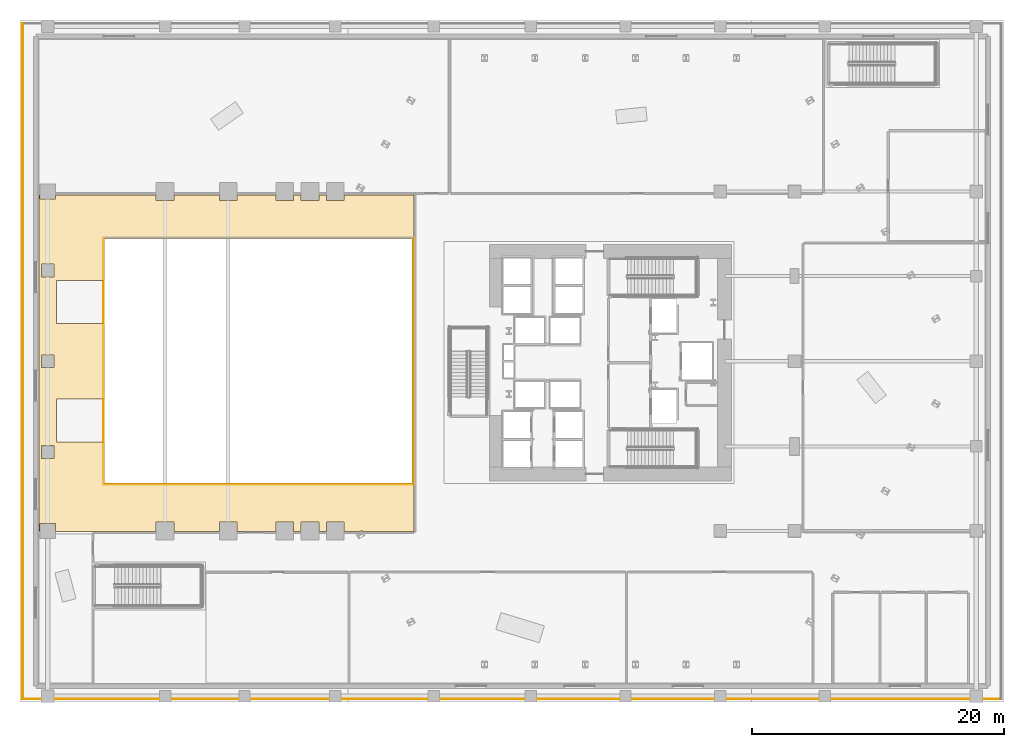
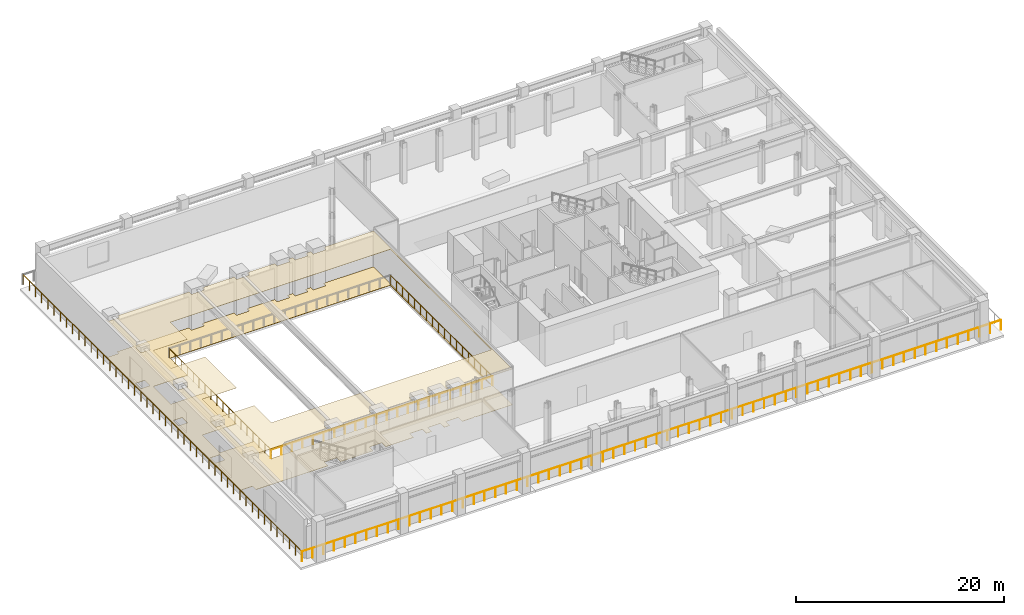
# One storey, part 10 of 19: 5 railings, 2 coverings.
"""IFC4 building model written with IfcOpenShell, lengths in metres."""

from ifc_helpers import new_model, si_unit, direction, frame, origin, origin_2d, place, context, subcontext, project, spatial, polyline, circle, outline, extrude, material, layer, layer_set, type_object, element, save


model = new_model("IFC4")

# Units and contexts
model_context = context("Model", 3, precision=1e-05, world=origin(), true_north=direction((0.0, 1.0)))
body_context = subcontext(model_context, "Body", "Model", "MODEL_VIEW")
ifc_project = project(units=[si_unit("LENGTHUNIT", "METRE"), si_unit("AREAUNIT", "SQUARE_METRE"), si_unit("VOLUMEUNIT", "CUBIC_METRE"), si_unit("PLANEANGLEUNIT", "RADIAN"), si_unit("MASSUNIT", "GRAM", prefix="KILO")], contexts=[model_context])

# Site, building, storey
site_placement = place(None, origin())
site = spatial("IfcSite", under=ifc_project, at=site_placement, CompositionType="ELEMENT")
building_placement = place(site_placement, origin())
building = spatial("IfcBuilding", under=site, at=building_placement, Name="Valkerne Bourse Tower", CompositionType="ELEMENT")
storey_placement = place(building_placement, frame((0.0, 0.0, 5.39990234375)))
storey = spatial("IfcBuildingStorey", under=building, at=storey_placement, Name="L01", CompositionType="ELEMENT", Elevation=5.39990234375)

# Coverings
ifc_material_1 = material(Name="Bronze Anodised Aluminium AA 6063-T6", Category="aluminium")
ifc_layer_1 = layer(ifc_material_1, 0.030029296875)
ifc_layer_set_1 = layer_set([ifc_layer_1], Name="Bronze Anodised Aluminium AA 6063-T6")
covering_type_1 = type_object("IfcCoveringType", Name="COV-CEIL-METAL", PredefinedType="CEILING", material=ifc_layer_set_1)
covering_1_placement = place(storey_placement, frame((0.0, 0.0, 4.210205078125)))
element("IfcCovering", 1, at=covering_1_placement, inside=storey, type_object=covering_type_1, Name="L01 Suspended Ceiling 01", PredefinedType="CEILING", context=body_context, shape_type="SweptSolid", body=[
    extrude(outline(polyline([(1.595947265625, 40.196044921875), (1.595947265625, 39.845947265625), (2.803955078125, 39.845947265625), (2.803955078125, 40.196044921875), (10.7958984375, 40.196044921875), (10.7958984375, 39.74609375), (12.2041015625, 39.74609375), (12.2041015625, 40.196044921875), (15.7958984375, 40.196044921875), (15.7958984375, 39.74609375), (17.2041015625, 39.74609375), (17.2041015625, 40.196044921875), (20.2880859375, 40.196044921875), (20.2880859375, 39.74609375), (21.696044921875, 39.74609375), (21.696044921875, 40.196044921875), (22.287109375, 40.196044921875), (22.287109375, 39.74609375), (23.695068359375, 39.74609375), (23.695068359375, 40.196044921875), (24.283935546875, 40.196044921875), (24.283935546875, 39.74609375), (25.69189453125, 39.74609375), (25.69189453125, 40.196044921875), (31.24609375, 40.196044921875), (31.24609375, 13.50390625), (27.175048828125, 13.50390625), (27.12060546875, 13.59814453125), (26.95751953125, 13.50390625), (25.69189453125, 13.50390625), (25.69189453125, 14.25390625), (24.283935546875, 14.25390625), (24.283935546875, 13.50390625), (23.695068359375, 13.50390625), (23.695068359375, 14.25390625), (22.287109375, 14.25390625), (22.287109375, 13.50390625), (21.696044921875, 13.50390625), (21.696044921875, 14.25390625), (20.2880859375, 14.25390625), (20.2880859375, 13.50390625), (17.2041015625, 13.50390625), (17.2041015625, 14.25390625), (15.7958984375, 14.25390625), (15.7958984375, 13.50390625), (12.2041015625, 13.50390625), (12.2041015625, 14.25390625), (10.7958984375, 14.25390625), (10.7958984375, 13.50390625), (2.803955078125, 13.50390625), (2.803955078125, 14.154052734375), (1.595947265625, 14.154052734375), (1.595947265625, 13.50390625), (1.50390625, 13.50390625), (1.50390625, 40.196044921875), (1.595947265625, 40.196044921875)]), holes=[polyline([(6.696044921875, 33.39990234375), (2.89990234375, 33.39990234375), (2.89990234375, 30.0), (6.696044921875, 30.0), (6.696044921875, 24.0), (2.89990234375, 24.0), (2.89990234375, 20.60009765625), (6.696044921875, 20.60009765625), (6.696044921875, 17.2958984375), (31.10400390625, 17.2958984375), (31.10400390625, 36.7041015625), (6.696044921875, 36.7041015625), (6.696044921875, 33.39990234375)]), polyline([(1.696044921875, 20.303955078125), (1.696044921875, 19.2958984375), (2.7041015625, 19.2958984375), (2.7041015625, 20.303955078125), (1.696044921875, 20.303955078125)]), polyline([(2.7041015625, 27.50390625), (1.696044921875, 27.50390625), (1.696044921875, 26.49609375), (2.7041015625, 26.49609375), (2.7041015625, 27.50390625)]), polyline([(2.7041015625, 34.7041015625), (1.696044921875, 34.7041015625), (1.696044921875, 33.696044921875), (2.7041015625, 33.696044921875), (2.7041015625, 34.7041015625)])]), origin(), (0.0, 0.0, 1.0), 0.02490234375),
])
ifc_material_2 = material(Name="Polished Granite Stone", Category="masonry")
ifc_layer_2 = layer(ifc_material_2, 0.030029296875)
ifc_layer_set_2 = layer_set([ifc_layer_2], Name="Polished Granite Stone")
covering_type_2 = type_object("IfcCoveringType", Name="COV-FLR-TERRAZZO", PredefinedType="FLOORING", material=ifc_layer_set_2)
covering_2_placement = place(storey_placement, origin())
element("IfcCovering", 2, at=covering_2_placement, inside=storey, type_object=covering_type_2, Name="L01 Floor Finish 01", PredefinedType="FLOORING", context=body_context, shape_type="SweptSolid", body=[
    extrude(outline(polyline([(1.595947265625, 40.196044921875), (1.595947265625, 39.845947265625), (2.803955078125, 39.845947265625), (2.803955078125, 40.196044921875), (10.7958984375, 40.196044921875), (10.7958984375, 39.74609375), (12.2041015625, 39.74609375), (12.2041015625, 40.196044921875), (15.7958984375, 40.196044921875), (15.7958984375, 39.74609375), (17.2041015625, 39.74609375), (17.2041015625, 40.196044921875), (20.2880859375, 40.196044921875), (20.2880859375, 39.74609375), (21.696044921875, 39.74609375), (21.696044921875, 40.196044921875), (22.287109375, 40.196044921875), (22.287109375, 39.74609375), (23.695068359375, 39.74609375), (23.695068359375, 40.196044921875), (24.283935546875, 40.196044921875), (24.283935546875, 39.74609375), (25.69189453125, 39.74609375), (25.69189453125, 40.196044921875), (31.24609375, 40.196044921875), (31.24609375, 13.50390625), (27.175048828125, 13.50390625), (27.12060546875, 13.59814453125), (26.95751953125, 13.50390625), (25.69189453125, 13.50390625), (25.69189453125, 14.25390625), (24.283935546875, 14.25390625), (24.283935546875, 13.50390625), (23.695068359375, 13.50390625), (23.695068359375, 14.25390625), (22.287109375, 14.25390625), (22.287109375, 13.50390625), (21.696044921875, 13.50390625), (21.696044921875, 14.25390625), (20.2880859375, 14.25390625), (20.2880859375, 13.50390625), (17.2041015625, 13.50390625), (17.2041015625, 14.25390625), (15.7958984375, 14.25390625), (15.7958984375, 13.50390625), (12.2041015625, 13.50390625), (12.2041015625, 14.25390625), (10.7958984375, 14.25390625), (10.7958984375, 13.50390625), (2.803955078125, 13.50390625), (2.803955078125, 14.154052734375), (1.595947265625, 14.154052734375), (1.595947265625, 13.50390625), (1.50390625, 13.50390625), (1.50390625, 40.196044921875), (1.595947265625, 40.196044921875)]), holes=[polyline([(6.696044921875, 33.39990234375), (2.89990234375, 33.39990234375), (2.89990234375, 30.0), (6.696044921875, 30.0), (6.696044921875, 24.0), (2.89990234375, 24.0), (2.89990234375, 20.60009765625), (6.696044921875, 20.60009765625), (6.696044921875, 17.2958984375), (31.10400390625, 17.2958984375), (31.10400390625, 36.7041015625), (6.696044921875, 36.7041015625), (6.696044921875, 33.39990234375)]), polyline([(1.696044921875, 20.303955078125), (1.696044921875, 19.2958984375), (2.7041015625, 19.2958984375), (2.7041015625, 20.303955078125), (1.696044921875, 20.303955078125)]), polyline([(2.7041015625, 27.50390625), (1.696044921875, 27.50390625), (1.696044921875, 26.49609375), (2.7041015625, 26.49609375), (2.7041015625, 27.50390625)]), polyline([(2.7041015625, 34.7041015625), (1.696044921875, 34.7041015625), (1.696044921875, 33.696044921875), (2.7041015625, 33.696044921875), (2.7041015625, 34.7041015625)])]), origin(), (0.0, 0.0, 1.0), 0.030029296875),
])

# Railings
ifc_material_3 = material(Name="Laminated Tempered Safety Glass", Category="glass")
railing_type = type_object("IfcRailingType", Name="RLG-GUARD-1150", PredefinedType="BALUSTRADE", material=ifc_material_3)
railing_1_placement = place(storey_placement, frame((0.219970703125, 0.219970703125, 0.60009765625)))
element("IfcRailing", 3, at=railing_1_placement, inside=storey, type_object=railing_type, Name="L01 Perimeter Guard Railing GRD-POD-L01-01", PredefinedType="BALUSTRADE", context=body_context, shape_type="SweptSolid", body=[
    extrude(circle(Radius=0.02392578125, at=origin_2d()), frame((0.0, 0.0, 1.1259765625), z_axis=(1.0, 0.0, 0.0), x_axis=(0.0, 1.0, 0.0)), (0.0, 0.0, 1.0), 77.56005859375),
    extrude(circle(Radius=0.02099609375, at=origin_2d()), origin(), (0.0, 0.0, 1.0), 1.101806640625),
    extrude(circle(Radius=0.02099609375, at=origin_2d()), frame((1.193115234375, 0.0, 0.0)), (0.0, 0.0, 1.0), 1.101806640625),
    extrude(circle(Radius=0.02099609375, at=origin_2d()), frame((2.386474609375, 0.0, 0.0)), (0.0, 0.0, 1.0), 1.101806640625),
    extrude(circle(Radius=0.02099609375, at=origin_2d()), frame((3.57958984375, 0.0, 0.0)), (0.0, 0.0, 1.0), 1.101806640625),
    extrude(circle(Radius=0.02099609375, at=origin_2d()), frame((4.77294921875, 0.0, 0.0)), (0.0, 0.0, 1.0), 1.101806640625),
    extrude(circle(Radius=0.02099609375, at=origin_2d()), frame((5.966064453125, 0.0, 0.0)), (0.0, 0.0, 1.0), 1.101806640625),
    extrude(circle(Radius=0.02099609375, at=origin_2d()), frame((7.159423828125, 0.0, 0.0)), (0.0, 0.0, 1.0), 1.101806640625),
    extrude(circle(Radius=0.02099609375, at=origin_2d()), frame((8.3525390625, 0.0, 0.0)), (0.0, 0.0, 1.0), 1.101806640625),
    extrude(circle(Radius=0.02099609375, at=origin_2d()), frame((9.5458984375, 0.0, 0.0)), (0.0, 0.0, 1.0), 1.101806640625),
    extrude(circle(Radius=0.02099609375, at=origin_2d()), frame((10.739013671875, 0.0, 0.0)), (0.0, 0.0, 1.0), 1.101806640625),
    extrude(circle(Radius=0.02099609375, at=origin_2d()), frame((11.932373046875, 0.0, 0.0)), (0.0, 0.0, 1.0), 1.101806640625),
    extrude(circle(Radius=0.02099609375, at=origin_2d()), frame((13.12548828125, 0.0, 0.0)), (0.0, 0.0, 1.0), 1.101806640625),
    extrude(circle(Radius=0.02099609375, at=origin_2d()), frame((14.31884765625, 0.0, 0.0)), (0.0, 0.0, 1.0), 1.101806640625),
    extrude(circle(Radius=0.02099609375, at=origin_2d()), frame((15.511962890625, 0.0, 0.0)), (0.0, 0.0, 1.0), 1.101806640625),
    extrude(circle(Radius=0.02099609375, at=origin_2d()), frame((16.705322265625, 0.0, 0.0)), (0.0, 0.0, 1.0), 1.101806640625),
    extrude(circle(Radius=0.02099609375, at=origin_2d()), frame((17.8984375, 0.0, 0.0)), (0.0, 0.0, 1.0), 1.101806640625),
    extrude(circle(Radius=0.02099609375, at=origin_2d()), frame((19.091796875, 0.0, 0.0)), (0.0, 0.0, 1.0), 1.101806640625),
    extrude(circle(Radius=0.02099609375, at=origin_2d()), frame((20.284912109375, 0.0, 0.0)), (0.0, 0.0, 1.0), 1.101806640625),
    extrude(circle(Radius=0.02099609375, at=origin_2d()), frame((21.478271484375, 0.0, 0.0)), (0.0, 0.0, 1.0), 1.101806640625),
    extrude(circle(Radius=0.02099609375, at=origin_2d()), frame((22.67138671875, 0.0, 0.0)), (0.0, 0.0, 1.0), 1.101806640625),
    extrude(circle(Radius=0.02099609375, at=origin_2d()), frame((23.86474609375, 0.0, 0.0)), (0.0, 0.0, 1.0), 1.101806640625),
    extrude(circle(Radius=0.02099609375, at=origin_2d()), frame((25.057861328125, 0.0, 0.0)), (0.0, 0.0, 1.0), 1.101806640625),
    extrude(circle(Radius=0.02099609375, at=origin_2d()), frame((26.2509765625, 0.0, 0.0)), (0.0, 0.0, 1.0), 1.101806640625),
    extrude(circle(Radius=0.02099609375, at=origin_2d()), frame((27.4443359375, 0.0, 0.0)), (0.0, 0.0, 1.0), 1.101806640625),
    extrude(circle(Radius=0.02099609375, at=origin_2d()), frame((28.637451171875, 0.0, 0.0)), (0.0, 0.0, 1.0), 1.101806640625),
    extrude(circle(Radius=0.02099609375, at=origin_2d()), frame((29.830810546875, 0.0, 0.0)), (0.0, 0.0, 1.0), 1.101806640625),
    extrude(circle(Radius=0.02099609375, at=origin_2d()), frame((31.02392578125, 0.0, 0.0)), (0.0, 0.0, 1.0), 1.101806640625),
    extrude(circle(Radius=0.02099609375, at=origin_2d()), frame((32.21728515625, 0.0, 0.0)), (0.0, 0.0, 1.0), 1.101806640625),
    extrude(circle(Radius=0.02099609375, at=origin_2d()), frame((33.410400390625, 0.0, 0.0)), (0.0, 0.0, 1.0), 1.101806640625),
    extrude(circle(Radius=0.02099609375, at=origin_2d()), frame((34.603759765625, 0.0, 0.0)), (0.0, 0.0, 1.0), 1.101806640625),
    extrude(circle(Radius=0.02099609375, at=origin_2d()), frame((35.796875, 0.0, 0.0)), (0.0, 0.0, 1.0), 1.101806640625),
    extrude(circle(Radius=0.02099609375, at=origin_2d()), frame((36.990234375, 0.0, 0.0)), (0.0, 0.0, 1.0), 1.101806640625),
    extrude(circle(Radius=0.02099609375, at=origin_2d()), frame((38.183349609375, 0.0, 0.0)), (0.0, 0.0, 1.0), 1.101806640625),
    extrude(circle(Radius=0.02099609375, at=origin_2d()), frame((39.376708984375, 0.0, 0.0)), (0.0, 0.0, 1.0), 1.101806640625),
    extrude(circle(Radius=0.02099609375, at=origin_2d()), frame((40.56982421875, 0.0, 0.0)), (0.0, 0.0, 1.0), 1.101806640625),
    extrude(circle(Radius=0.02099609375, at=origin_2d()), frame((41.76318359375, 0.0, 0.0)), (0.0, 0.0, 1.0), 1.101806640625),
    extrude(circle(Radius=0.02099609375, at=origin_2d()), frame((42.956298828125, 0.0, 0.0)), (0.0, 0.0, 1.0), 1.101806640625),
    extrude(circle(Radius=0.02099609375, at=origin_2d()), frame((44.149658203125, 0.0, 0.0)), (0.0, 0.0, 1.0), 1.101806640625),
    extrude(circle(Radius=0.02099609375, at=origin_2d()), frame((45.3427734375, 0.0, 0.0)), (0.0, 0.0, 1.0), 1.101806640625),
    extrude(circle(Radius=0.02099609375, at=origin_2d()), frame((46.5361328125, 0.0, 0.0)), (0.0, 0.0, 1.0), 1.101806640625),
    extrude(circle(Radius=0.02099609375, at=origin_2d()), frame((47.729248046875, 0.0, 0.0)), (0.0, 0.0, 1.0), 1.101806640625),
    extrude(circle(Radius=0.02099609375, at=origin_2d()), frame((48.922607421875, 0.0, 0.0)), (0.0, 0.0, 1.0), 1.101806640625),
    extrude(circle(Radius=0.02099609375, at=origin_2d()), frame((50.11572265625, 0.0, 0.0)), (0.0, 0.0, 1.0), 1.101806640625),
    extrude(circle(Radius=0.02099609375, at=origin_2d()), frame((51.30908203125, 0.0, 0.0)), (0.0, 0.0, 1.0), 1.101806640625),
    extrude(circle(Radius=0.02099609375, at=origin_2d()), frame((52.502197265625, 0.0, 0.0)), (0.0, 0.0, 1.0), 1.101806640625),
    extrude(circle(Radius=0.02099609375, at=origin_2d()), frame((53.6953125, 0.0, 0.0)), (0.0, 0.0, 1.0), 1.101806640625),
    extrude(circle(Radius=0.02099609375, at=origin_2d()), frame((54.888671875, 0.0, 0.0)), (0.0, 0.0, 1.0), 1.101806640625),
    extrude(circle(Radius=0.02099609375, at=origin_2d()), frame((56.081787109375, 0.0, 0.0)), (0.0, 0.0, 1.0), 1.101806640625),
    extrude(circle(Radius=0.02099609375, at=origin_2d()), frame((57.275146484375, 0.0, 0.0)), (0.0, 0.0, 1.0), 1.101806640625),
    extrude(circle(Radius=0.02099609375, at=origin_2d()), frame((58.46826171875, 0.0, 0.0)), (0.0, 0.0, 1.0), 1.101806640625),
    extrude(circle(Radius=0.02099609375, at=origin_2d()), frame((59.66162109375, 0.0, 0.0)), (0.0, 0.0, 1.0), 1.101806640625),
    extrude(circle(Radius=0.02099609375, at=origin_2d()), frame((60.854736328125, 0.0, 0.0)), (0.0, 0.0, 1.0), 1.101806640625),
    extrude(circle(Radius=0.02099609375, at=origin_2d()), frame((62.048095703125, 0.0, 0.0)), (0.0, 0.0, 1.0), 1.101806640625),
    extrude(circle(Radius=0.02099609375, at=origin_2d()), frame((63.2412109375, 0.0, 0.0)), (0.0, 0.0, 1.0), 1.101806640625),
    extrude(circle(Radius=0.02099609375, at=origin_2d()), frame((64.4345703125, 0.0, 0.0)), (0.0, 0.0, 1.0), 1.101806640625),
    extrude(circle(Radius=0.02099609375, at=origin_2d()), frame((65.627685546875, 0.0, 0.0)), (0.0, 0.0, 1.0), 1.101806640625),
    extrude(circle(Radius=0.02099609375, at=origin_2d()), frame((66.821044921875, 0.0, 0.0)), (0.0, 0.0, 1.0), 1.101806640625),
    extrude(circle(Radius=0.02099609375, at=origin_2d()), frame((68.01416015625, 0.0, 0.0)), (0.0, 0.0, 1.0), 1.101806640625),
    extrude(circle(Radius=0.02099609375, at=origin_2d()), frame((69.20751953125, 0.0, 0.0)), (0.0, 0.0, 1.0), 1.101806640625),
    extrude(circle(Radius=0.02099609375, at=origin_2d()), frame((70.400634765625, 0.0, 0.0)), (0.0, 0.0, 1.0), 1.101806640625),
    extrude(circle(Radius=0.02099609375, at=origin_2d()), frame((71.593994140625, 0.0, 0.0)), (0.0, 0.0, 1.0), 1.101806640625),
    extrude(circle(Radius=0.02099609375, at=origin_2d()), frame((72.787109375, 0.0, 0.0)), (0.0, 0.0, 1.0), 1.101806640625),
    extrude(circle(Radius=0.02099609375, at=origin_2d()), frame((73.98046875, 0.0, 0.0)), (0.0, 0.0, 1.0), 1.101806640625),
    extrude(circle(Radius=0.02099609375, at=origin_2d()), frame((75.173583984375, 0.0, 0.0)), (0.0, 0.0, 1.0), 1.101806640625),
    extrude(circle(Radius=0.02099609375, at=origin_2d()), frame((76.366943359375, 0.0, 0.0)), (0.0, 0.0, 1.0), 1.101806640625),
    extrude(circle(Radius=0.02099609375, at=origin_2d()), frame((77.56005859375, 0.0, 0.0)), (0.0, 0.0, 1.0), 1.101806640625),
])
railing_2_placement = place(storey_placement, frame((0.219970703125, 53.780029296875, 0.60009765625)))
element("IfcRailing", 4, at=railing_2_placement, inside=storey, type_object=railing_type, Name="L01 Perimeter Guard Railing GRD-POD-L01-04", PredefinedType="BALUSTRADE", context=body_context, shape_type="SweptSolid", body=[
    extrude(circle(Radius=0.02392578125, at=origin_2d()), frame((0.0, 0.0, 1.1259765625), z_axis=(0.0, -1.0, 0.0), x_axis=(1.0, 0.0, 0.0)), (0.0, 0.0, 1.0), 53.56005859375),
    extrude(circle(Radius=0.02099609375, at=origin_2d()), origin(), (0.0, 0.0, 1.0), 1.101806640625),
    extrude(circle(Radius=0.02099609375, at=origin_2d()), frame((0.0, -1.190185546875, 0.0)), (0.0, 0.0, 1.0), 1.101806640625),
    extrude(circle(Radius=0.02099609375, at=origin_2d()), frame((0.0, -2.38037109375, 0.0)), (0.0, 0.0, 1.0), 1.101806640625),
    extrude(circle(Radius=0.02099609375, at=origin_2d()), frame((0.0, -3.570556640625, 0.0)), (0.0, 0.0, 1.0), 1.101806640625),
    extrude(circle(Radius=0.02099609375, at=origin_2d()), frame((0.0, -4.760986328125, 0.0)), (0.0, 0.0, 1.0), 1.101806640625),
    extrude(circle(Radius=0.02099609375, at=origin_2d()), frame((0.0, -5.951171875, 0.0)), (0.0, 0.0, 1.0), 1.101806640625),
    extrude(circle(Radius=0.02099609375, at=origin_2d()), frame((0.0, -7.141357421875, 0.0)), (0.0, 0.0, 1.0), 1.101806640625),
    extrude(circle(Radius=0.02099609375, at=origin_2d()), frame((0.0, -8.33154296875, 0.0)), (0.0, 0.0, 1.0), 1.101806640625),
    extrude(circle(Radius=0.02099609375, at=origin_2d()), frame((0.0, -9.521728515625, 0.0)), (0.0, 0.0, 1.0), 1.101806640625),
    extrude(circle(Radius=0.02099609375, at=origin_2d()), frame((0.0, -10.7119140625, 0.0)), (0.0, 0.0, 1.0), 1.101806640625),
    extrude(circle(Radius=0.02099609375, at=origin_2d()), frame((0.0, -11.90234375, 0.0)), (0.0, 0.0, 1.0), 1.101806640625),
    extrude(circle(Radius=0.02099609375, at=origin_2d()), frame((0.0, -13.092529296875, 0.0)), (0.0, 0.0, 1.0), 1.101806640625),
    extrude(circle(Radius=0.02099609375, at=origin_2d()), frame((0.0, -14.28271484375, 0.0)), (0.0, 0.0, 1.0), 1.101806640625),
    extrude(circle(Radius=0.02099609375, at=origin_2d()), frame((0.0, -15.472900390625, 0.0)), (0.0, 0.0, 1.0), 1.101806640625),
    extrude(circle(Radius=0.02099609375, at=origin_2d()), frame((0.0, -16.6630859375, 0.0)), (0.0, 0.0, 1.0), 1.101806640625),
    extrude(circle(Radius=0.02099609375, at=origin_2d()), frame((0.0, -17.853271484375, 0.0)), (0.0, 0.0, 1.0), 1.101806640625),
    extrude(circle(Radius=0.02099609375, at=origin_2d()), frame((0.0, -19.04345703125, 0.0)), (0.0, 0.0, 1.0), 1.101806640625),
    extrude(circle(Radius=0.02099609375, at=origin_2d()), frame((0.0, -20.23388671875, 0.0)), (0.0, 0.0, 1.0), 1.101806640625),
    extrude(circle(Radius=0.02099609375, at=origin_2d()), frame((0.0, -21.424072265625, 0.0)), (0.0, 0.0, 1.0), 1.101806640625),
    extrude(circle(Radius=0.02099609375, at=origin_2d()), frame((0.0, -22.6142578125, 0.0)), (0.0, 0.0, 1.0), 1.101806640625),
    extrude(circle(Radius=0.02099609375, at=origin_2d()), frame((0.0, -23.804443359375, 0.0)), (0.0, 0.0, 1.0), 1.101806640625),
    extrude(circle(Radius=0.02099609375, at=origin_2d()), frame((0.0, -24.99462890625, 0.0)), (0.0, 0.0, 1.0), 1.101806640625),
    extrude(circle(Radius=0.02099609375, at=origin_2d()), frame((0.0, -26.184814453125, 0.0)), (0.0, 0.0, 1.0), 1.101806640625),
    extrude(circle(Radius=0.02099609375, at=origin_2d()), frame((0.0, -27.375244140625, 0.0)), (0.0, 0.0, 1.0), 1.101806640625),
    extrude(circle(Radius=0.02099609375, at=origin_2d()), frame((0.0, -28.5654296875, 0.0)), (0.0, 0.0, 1.0), 1.101806640625),
    extrude(circle(Radius=0.02099609375, at=origin_2d()), frame((0.0, -29.755615234375, 0.0)), (0.0, 0.0, 1.0), 1.101806640625),
    extrude(circle(Radius=0.02099609375, at=origin_2d()), frame((0.0, -30.94580078125, 0.0)), (0.0, 0.0, 1.0), 1.101806640625),
    extrude(circle(Radius=0.02099609375, at=origin_2d()), frame((0.0, -32.135986328125, 0.0)), (0.0, 0.0, 1.0), 1.101806640625),
    extrude(circle(Radius=0.02099609375, at=origin_2d()), frame((0.0, -33.326171875, 0.0)), (0.0, 0.0, 1.0), 1.101806640625),
    extrude(circle(Radius=0.02099609375, at=origin_2d()), frame((0.0, -34.5166015625, 0.0)), (0.0, 0.0, 1.0), 1.101806640625),
    extrude(circle(Radius=0.02099609375, at=origin_2d()), frame((0.0, -35.706787109375, 0.0)), (0.0, 0.0, 1.0), 1.101806640625),
    extrude(circle(Radius=0.02099609375, at=origin_2d()), frame((0.0, -36.89697265625, 0.0)), (0.0, 0.0, 1.0), 1.101806640625),
    extrude(circle(Radius=0.02099609375, at=origin_2d()), frame((0.0, -38.087158203125, 0.0)), (0.0, 0.0, 1.0), 1.101806640625),
    extrude(circle(Radius=0.02099609375, at=origin_2d()), frame((0.0, -39.27734375, 0.0)), (0.0, 0.0, 1.0), 1.101806640625),
    extrude(circle(Radius=0.02099609375, at=origin_2d()), frame((0.0, -40.467529296875, 0.0)), (0.0, 0.0, 1.0), 1.101806640625),
    extrude(circle(Radius=0.02099609375, at=origin_2d()), frame((0.0, -41.65771484375, 0.0)), (0.0, 0.0, 1.0), 1.101806640625),
    extrude(circle(Radius=0.02099609375, at=origin_2d()), frame((0.0, -42.84814453125, 0.0)), (0.0, 0.0, 1.0), 1.101806640625),
    extrude(circle(Radius=0.02099609375, at=origin_2d()), frame((0.0, -44.038330078125, 0.0)), (0.0, 0.0, 1.0), 1.101806640625),
    extrude(circle(Radius=0.02099609375, at=origin_2d()), frame((0.0, -45.228515625, 0.0)), (0.0, 0.0, 1.0), 1.101806640625),
    extrude(circle(Radius=0.02099609375, at=origin_2d()), frame((0.0, -46.418701171875, 0.0)), (0.0, 0.0, 1.0), 1.101806640625),
    extrude(circle(Radius=0.02099609375, at=origin_2d()), frame((0.0, -47.60888671875, 0.0)), (0.0, 0.0, 1.0), 1.101806640625),
    extrude(circle(Radius=0.02099609375, at=origin_2d()), frame((0.0, -48.799072265625, 0.0)), (0.0, 0.0, 1.0), 1.101806640625),
    extrude(circle(Radius=0.02099609375, at=origin_2d()), frame((0.0, -49.989501953125, 0.0)), (0.0, 0.0, 1.0), 1.101806640625),
    extrude(circle(Radius=0.02099609375, at=origin_2d()), frame((0.0, -51.1796875, 0.0)), (0.0, 0.0, 1.0), 1.101806640625),
    extrude(circle(Radius=0.02099609375, at=origin_2d()), frame((0.0, -52.369873046875, 0.0)), (0.0, 0.0, 1.0), 1.101806640625),
    extrude(circle(Radius=0.02099609375, at=origin_2d()), frame((0.0, -53.56005859375, 0.0)), (0.0, 0.0, 1.0), 1.101806640625),
])
railing_3_placement = place(storey_placement, frame((6.6201171875, 17.219970703125, 0.0)))
element("IfcRailing", 5, at=railing_3_placement, inside=storey, type_object=railing_type, Name="L01 Exchange Hall Atrium Guard 1", PredefinedType="BALUSTRADE", context=body_context, shape_type="SweptSolid", body=[
    extrude(circle(Radius=0.02392578125, at=origin_2d()), frame((0.0, 0.0, 1.1259765625), z_axis=(1.0, 0.0, 0.0), x_axis=(0.0, 1.0, 0.0)), (0.0, 0.0, 1.0), 24.559814453125),
    extrude(circle(Radius=0.02099609375, at=origin_2d()), origin(), (0.0, 0.0, 1.0), 1.101806640625),
    extrude(circle(Radius=0.02099609375, at=origin_2d()), frame((1.16943359375, 0.0, 0.0)), (0.0, 0.0, 1.0), 1.101806640625),
    extrude(circle(Radius=0.02099609375, at=origin_2d()), frame((2.339111328125, 0.0, 0.0)), (0.0, 0.0, 1.0), 1.101806640625),
    extrude(circle(Radius=0.02099609375, at=origin_2d()), frame((3.508544921875, 0.0, 0.0)), (0.0, 0.0, 1.0), 1.101806640625),
    extrude(circle(Radius=0.02099609375, at=origin_2d()), frame((4.677978515625, 0.0, 0.0)), (0.0, 0.0, 1.0), 1.101806640625),
    extrude(circle(Radius=0.02099609375, at=origin_2d()), frame((5.84765625, 0.0, 0.0)), (0.0, 0.0, 1.0), 1.101806640625),
    extrude(circle(Radius=0.02099609375, at=origin_2d()), frame((7.01708984375, 0.0, 0.0)), (0.0, 0.0, 1.0), 1.101806640625),
    extrude(circle(Radius=0.02099609375, at=origin_2d()), frame((8.1865234375, 0.0, 0.0)), (0.0, 0.0, 1.0), 1.101806640625),
    extrude(circle(Radius=0.02099609375, at=origin_2d()), frame((9.356201171875, 0.0, 0.0)), (0.0, 0.0, 1.0), 1.101806640625),
    extrude(circle(Radius=0.02099609375, at=origin_2d()), frame((10.525634765625, 0.0, 0.0)), (0.0, 0.0, 1.0), 1.101806640625),
    extrude(circle(Radius=0.02099609375, at=origin_2d()), frame((11.695068359375, 0.0, 0.0)), (0.0, 0.0, 1.0), 1.101806640625),
    extrude(circle(Radius=0.02099609375, at=origin_2d()), frame((12.86474609375, 0.0, 0.0)), (0.0, 0.0, 1.0), 1.101806640625),
    extrude(circle(Radius=0.02099609375, at=origin_2d()), frame((14.0341796875, 0.0, 0.0)), (0.0, 0.0, 1.0), 1.101806640625),
    extrude(circle(Radius=0.02099609375, at=origin_2d()), frame((15.20361328125, 0.0, 0.0)), (0.0, 0.0, 1.0), 1.101806640625),
    extrude(circle(Radius=0.02099609375, at=origin_2d()), frame((16.373291015625, 0.0, 0.0)), (0.0, 0.0, 1.0), 1.101806640625),
    extrude(circle(Radius=0.02099609375, at=origin_2d()), frame((17.542724609375, 0.0, 0.0)), (0.0, 0.0, 1.0), 1.101806640625),
    extrude(circle(Radius=0.02099609375, at=origin_2d()), frame((18.712158203125, 0.0, 0.0)), (0.0, 0.0, 1.0), 1.101806640625),
    extrude(circle(Radius=0.02099609375, at=origin_2d()), frame((19.8818359375, 0.0, 0.0)), (0.0, 0.0, 1.0), 1.101806640625),
    extrude(circle(Radius=0.02099609375, at=origin_2d()), frame((21.05126953125, 0.0, 0.0)), (0.0, 0.0, 1.0), 1.101806640625),
    extrude(circle(Radius=0.02099609375, at=origin_2d()), frame((22.220703125, 0.0, 0.0)), (0.0, 0.0, 1.0), 1.101806640625),
    extrude(circle(Radius=0.02099609375, at=origin_2d()), frame((23.390380859375, 0.0, 0.0)), (0.0, 0.0, 1.0), 1.101806640625),
    extrude(circle(Radius=0.02099609375, at=origin_2d()), frame((24.559814453125, 0.0, 0.0)), (0.0, 0.0, 1.0), 1.101806640625),
])
railing_4_placement = place(storey_placement, frame((31.179931640625, 17.219970703125, 0.0)))
element("IfcRailing", 6, at=railing_4_placement, inside=storey, type_object=railing_type, Name="L01 Exchange Hall Atrium Guard 2", PredefinedType="BALUSTRADE", context=body_context, shape_type="SweptSolid", body=[
    extrude(circle(Radius=0.02392578125, at=origin_2d()), frame((0.0, 0.0, 1.1259765625), z_axis=(0.0, 1.0, 0.0), x_axis=(-1.0, 0.0, 0.0)), (0.0, 0.0, 1.0), 19.56005859375),
    extrude(circle(Radius=0.02099609375, at=origin_2d()), origin(), (0.0, 0.0, 1.0), 1.101806640625),
    extrude(circle(Radius=0.02099609375, at=origin_2d()), frame((0.0, 1.150634765625, 0.0)), (0.0, 0.0, 1.0), 1.101806640625),
    extrude(circle(Radius=0.02099609375, at=origin_2d()), frame((0.0, 2.30126953125, 0.0)), (0.0, 0.0, 1.0), 1.101806640625),
    extrude(circle(Radius=0.02099609375, at=origin_2d()), frame((0.0, 3.45166015625, 0.0)), (0.0, 0.0, 1.0), 1.101806640625),
    extrude(circle(Radius=0.02099609375, at=origin_2d()), frame((0.0, 4.602294921875, 0.0)), (0.0, 0.0, 1.0), 1.101806640625),
    extrude(circle(Radius=0.02099609375, at=origin_2d()), frame((0.0, 5.7529296875, 0.0)), (0.0, 0.0, 1.0), 1.101806640625),
    extrude(circle(Radius=0.02099609375, at=origin_2d()), frame((0.0, 6.903564453125, 0.0)), (0.0, 0.0, 1.0), 1.101806640625),
    extrude(circle(Radius=0.02099609375, at=origin_2d()), frame((0.0, 8.05419921875, 0.0)), (0.0, 0.0, 1.0), 1.101806640625),
    extrude(circle(Radius=0.02099609375, at=origin_2d()), frame((0.0, 9.204833984375, 0.0)), (0.0, 0.0, 1.0), 1.101806640625),
    extrude(circle(Radius=0.02099609375, at=origin_2d()), frame((0.0, 10.355224609375, 0.0)), (0.0, 0.0, 1.0), 1.101806640625),
    extrude(circle(Radius=0.02099609375, at=origin_2d()), frame((0.0, 11.505859375, 0.0)), (0.0, 0.0, 1.0), 1.101806640625),
    extrude(circle(Radius=0.02099609375, at=origin_2d()), frame((0.0, 12.656494140625, 0.0)), (0.0, 0.0, 1.0), 1.101806640625),
    extrude(circle(Radius=0.02099609375, at=origin_2d()), frame((0.0, 13.80712890625, 0.0)), (0.0, 0.0, 1.0), 1.101806640625),
    extrude(circle(Radius=0.02099609375, at=origin_2d()), frame((0.0, 14.957763671875, 0.0)), (0.0, 0.0, 1.0), 1.101806640625),
    extrude(circle(Radius=0.02099609375, at=origin_2d()), frame((0.0, 16.1083984375, 0.0)), (0.0, 0.0, 1.0), 1.101806640625),
    extrude(circle(Radius=0.02099609375, at=origin_2d()), frame((0.0, 17.2587890625, 0.0)), (0.0, 0.0, 1.0), 1.101806640625),
    extrude(circle(Radius=0.02099609375, at=origin_2d()), frame((0.0, 18.409423828125, 0.0)), (0.0, 0.0, 1.0), 1.101806640625),
    extrude(circle(Radius=0.02099609375, at=origin_2d()), frame((0.0, 19.56005859375, 0.0)), (0.0, 0.0, 1.0), 1.101806640625),
])
railing_5_placement = place(storey_placement, frame((6.6201171875, 36.780029296875, 0.0)))
element("IfcRailing", 7, at=railing_5_placement, inside=storey, type_object=railing_type, Name="L01 Exchange Hall Atrium Guard 4", PredefinedType="BALUSTRADE", context=body_context, shape_type="SweptSolid", body=[
    extrude(circle(Radius=0.02392578125, at=origin_2d()), frame((0.0, 0.0, 1.1259765625), z_axis=(0.0, -1.0, 0.0), x_axis=(1.0, 0.0, 0.0)), (0.0, 0.0, 1.0), 19.56005859375),
    extrude(circle(Radius=0.02099609375, at=origin_2d()), origin(), (0.0, 0.0, 1.0), 1.101806640625),
    extrude(circle(Radius=0.02099609375, at=origin_2d()), frame((0.0, -1.150634765625, 0.0)), (0.0, 0.0, 1.0), 1.101806640625),
    extrude(circle(Radius=0.02099609375, at=origin_2d()), frame((0.0, -2.30126953125, 0.0)), (0.0, 0.0, 1.0), 1.101806640625),
    extrude(circle(Radius=0.02099609375, at=origin_2d()), frame((0.0, -3.45166015625, 0.0)), (0.0, 0.0, 1.0), 1.101806640625),
    extrude(circle(Radius=0.02099609375, at=origin_2d()), frame((0.0, -4.602294921875, 0.0)), (0.0, 0.0, 1.0), 1.101806640625),
    extrude(circle(Radius=0.02099609375, at=origin_2d()), frame((0.0, -5.7529296875, 0.0)), (0.0, 0.0, 1.0), 1.101806640625),
    extrude(circle(Radius=0.02099609375, at=origin_2d()), frame((0.0, -6.903564453125, 0.0)), (0.0, 0.0, 1.0), 1.101806640625),
    extrude(circle(Radius=0.02099609375, at=origin_2d()), frame((0.0, -8.05419921875, 0.0)), (0.0, 0.0, 1.0), 1.101806640625),
    extrude(circle(Radius=0.02099609375, at=origin_2d()), frame((0.0, -9.204833984375, 0.0)), (0.0, 0.0, 1.0), 1.101806640625),
    extrude(circle(Radius=0.02099609375, at=origin_2d()), frame((0.0, -10.355224609375, 0.0)), (0.0, 0.0, 1.0), 1.101806640625),
    extrude(circle(Radius=0.02099609375, at=origin_2d()), frame((0.0, -11.505859375, 0.0)), (0.0, 0.0, 1.0), 1.101806640625),
    extrude(circle(Radius=0.02099609375, at=origin_2d()), frame((0.0, -12.656494140625, 0.0)), (0.0, 0.0, 1.0), 1.101806640625),
    extrude(circle(Radius=0.02099609375, at=origin_2d()), frame((0.0, -13.80712890625, 0.0)), (0.0, 0.0, 1.0), 1.101806640625),
    extrude(circle(Radius=0.02099609375, at=origin_2d()), frame((0.0, -14.957763671875, 0.0)), (0.0, 0.0, 1.0), 1.101806640625),
    extrude(circle(Radius=0.02099609375, at=origin_2d()), frame((0.0, -16.1083984375, 0.0)), (0.0, 0.0, 1.0), 1.101806640625),
    extrude(circle(Radius=0.02099609375, at=origin_2d()), frame((0.0, -17.2587890625, 0.0)), (0.0, 0.0, 1.0), 1.101806640625),
    extrude(circle(Radius=0.02099609375, at=origin_2d()), frame((0.0, -18.409423828125, 0.0)), (0.0, 0.0, 1.0), 1.101806640625),
    extrude(circle(Radius=0.02099609375, at=origin_2d()), frame((0.0, -19.56005859375, 0.0)), (0.0, 0.0, 1.0), 1.101806640625),
])

save(model, "model.ifc")
